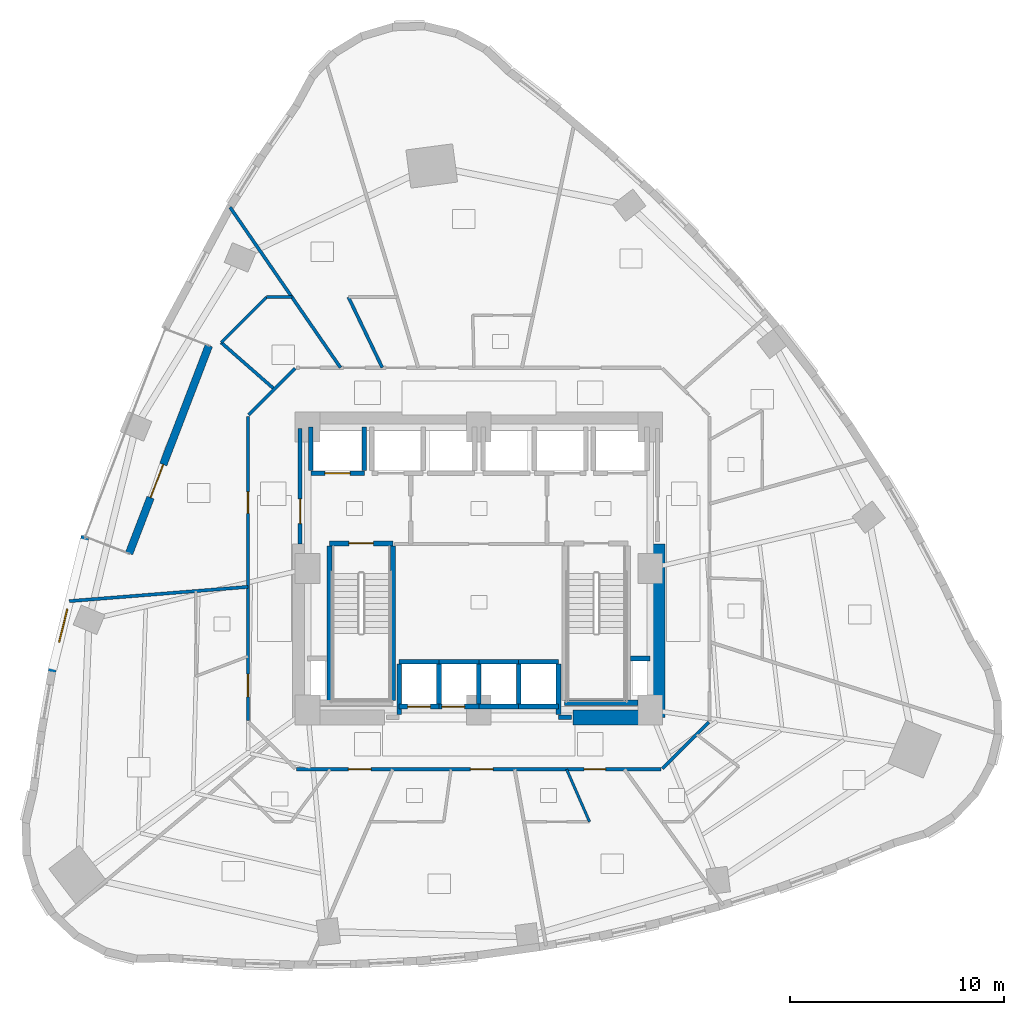
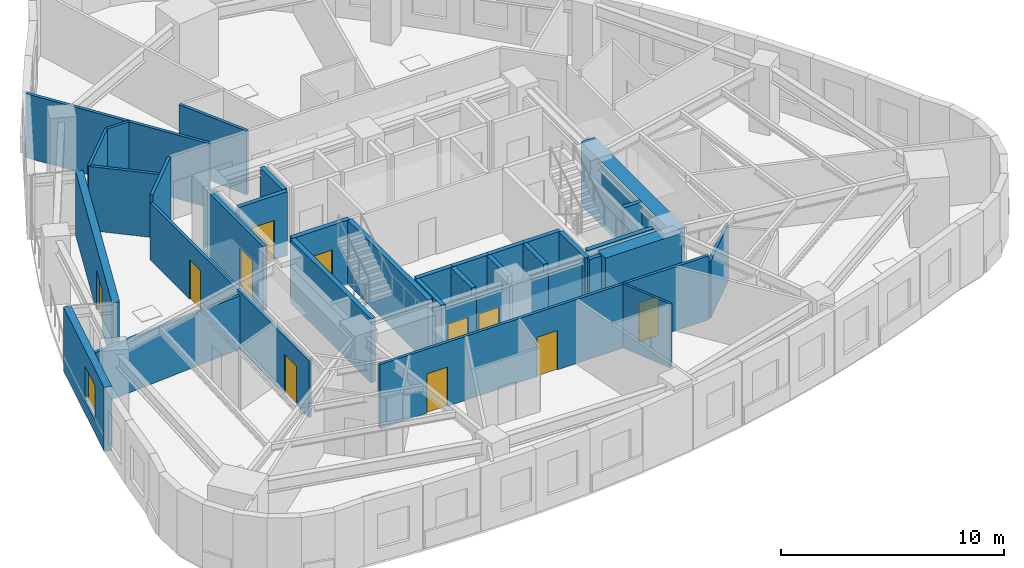
# One storey, part 6 of 12: 38 walls, 11 doors, 1 window, 12 openings.
"""IFC4 building model written with IfcOpenShell, lengths in metres."""

from ifc_helpers import new_model, si_unit, direction, frame, frame_2d, origin, place, context, subcontext, project, spatial, rectangle, extrude, material, layer, layer_set, type_object, element, fill, save


model = new_model("IFC4")

# Units and contexts
model_context = context("Model", 3, precision=1e-05, world=origin(), true_north=direction((0.0, 1.0)))
body_context = subcontext(model_context, "Body", "Model", "MODEL_VIEW")
ifc_project = project(units=[si_unit("LENGTHUNIT", "METRE"), si_unit("AREAUNIT", "SQUARE_METRE"), si_unit("VOLUMEUNIT", "CUBIC_METRE"), si_unit("PLANEANGLEUNIT", "RADIAN"), si_unit("MASSUNIT", "GRAM", prefix="KILO")], contexts=[model_context])

# Site, building, storey
site_placement = place(None, origin())
site = spatial("IfcSite", under=ifc_project, at=site_placement, CompositionType="ELEMENT")
building_placement = place(site_placement, origin())
building = spatial("IfcBuilding", under=site, at=building_placement, Name="Ndelora Gate Hotel", CompositionType="ELEMENT")
storey_placement = place(building_placement, frame((0.0, 0.0, 68.0)))
storey = spatial("IfcBuildingStorey", under=building, at=storey_placement, Name="L16", CompositionType="ELEMENT", Elevation=68.0)

# Wall, opening, door
ifc_material_1 = material(Name="Clay Brick Masonry", Category="masonry")
ifc_layer_1 = layer(ifc_material_1, 0.360107421875)
ifc_layer_set_1 = layer_set([ifc_layer_1], Name="Clay Brick Masonry")
wall_type_1 = type_object("IfcWallType", Name="WL-BRICK-360", PredefinedType="SOLIDWALL", material=ifc_layer_set_1)
wall_1_placement = place(storey_placement, frame((-16.335693359375, 0.70068359375, 0.0), z_axis=(0.0, 0.0, 1.0), x_axis=(0.358370224529, 0.93357955321, 0.0)))
wall_1 = element("IfcWall", 1, at=wall_1_placement, inside=storey, type_object=wall_type_1, Name="L16 Sky-Garden Loggia Rear Brick Wall", PredefinedType="SOLIDWALL", context=body_context, shape_type="SweptSolid", body=[
    extrude(rectangle(XDim=10.39990234375, YDim=0.360107421875, at=frame_2d((5.199951171875, 0.0))), origin(), (0.0, 0.0, 1.0), 3.5),
])
opening_1_placement = place(wall_1_placement, frame((2.800048828125, 0.0, 0.0)))
opening_1 = element("IfcOpeningElement", 2, at=opening_1_placement, cuts=wall_1, Name="Opening TD1", PredefinedType="OPENING", context=body_context, shape_type="SweptSolid", body=[
    extrude(rectangle(XDim=1.64990234375, YDim=2.25, at=frame_2d((0.824951171875, 1.125))), frame((0.0, 0.18994140625, 0.0), z_axis=(0.0, -1.0, 0.0), x_axis=(1.0, 0.0, 0.0)), (0.0, 0.0, 1.0), 0.380126953125),
])
ifc_material_2 = material(Name="Architectural Bronze Glazed Door", Category="metal")
door_type_1 = type_object("IfcDoorType", Name="DR-TER-1650", OperationType="DOUBLE_DOOR_SINGLE_SWING", PredefinedType="DOOR", material=ifc_material_2)
door_1_placement = place(opening_1_placement, origin())
door_1 = element("IfcDoor", 3, at=door_1_placement, inside=storey, type_object=door_type_1, Name="L16 Sky-Garden Terrace Double Door TD1", OperationType="DOUBLE_DOOR_SINGLE_SWING", OverallHeight=2.25, OverallWidth=1.64990234375, PredefinedType="DOOR", context=body_context, shape_type="SweptSolid", body=[
    extrude(rectangle(XDim=1.64990234375, YDim=2.25, at=frame_2d((0.824951171875, 1.125))), frame((0.0, 0.02490234375, 0.0), z_axis=(0.0, -1.0, 0.0), x_axis=(1.0, 0.0, 0.0)), (0.0, 0.0, 1.0), 0.050048828125),
])
fill(opening_1, door_1)

# Wall, opening, window
wall_2_placement = place(storey_placement, frame((-19.951416015625, -4.86279296875, 0.0), z_axis=(0.0, 0.0, 1.0), x_axis=(0.238780649109, 0.971073530486, 0.0)))
wall_2 = element("IfcWall", 4, at=wall_2_placement, inside=storey, type_object=wall_type_1, Name="L16 Tower Brick Pier-and-Spandrel Wall TWR-16", PredefinedType="SOLIDWALL", context=body_context, shape_type="SweptSolid", body=[
    extrude(rectangle(XDim=6.566162109375, YDim=0.360107421875, at=frame_2d((3.283203125, 0.0))), origin(), (0.0, 0.0, 1.0), 3.5),
])
opening_2_placement = place(wall_2_placement, frame((1.4599609375, 0.0, 0.719970703125)))
opening_2 = element("IfcOpeningElement", 5, at=opening_2_placement, cuts=wall_2, Name="Opening W01", PredefinedType="OPENING", context=body_context, shape_type="SweptSolid", body=[
    extrude(rectangle(XDim=1.60009765625, YDim=1.8798828125, at=frame_2d((0.800048828125, 0.93994140625))), frame((0.0, 0.18994140625, 0.0), z_axis=(0.0, -1.0, 0.0), x_axis=(1.0, 0.0, 0.0)), (0.0, 0.0, 1.0), 0.380126953125),
])
ifc_material_3 = material(Name="Insulated Low-E Double Glazing in Bronze Aluminium Frame", Category="aluminium")
window_type = type_object("IfcWindowType", Name="WN-DEEP-1600", PartitioningType="SINGLE_PANEL", PredefinedType="WINDOW", material=ifc_material_3)
window_placement = place(opening_2_placement, origin())
window = element("IfcWindow", 6, at=window_placement, inside=storey, type_object=window_type, Name="L16 Deep-Set Brick-Pier Window W01", OverallHeight=1.8798828125, OverallWidth=1.60009765625, PartitioningType="SINGLE_PANEL", PredefinedType="WINDOW", context=body_context, shape_type="SweptSolid", body=[
    extrude(rectangle(XDim=1.60009765625, YDim=1.8798828125, at=frame_2d((0.800048828125, 0.93994140625))), frame((0.0, 0.030029296875, 0.0), z_axis=(0.0, -1.0, 0.0), x_axis=(1.0, 0.0, 0.0)), (0.0, 0.0, 1.0), 0.06005859375),
])
fill(opening_2, window)

# Walls
ifc_material_4 = material(Name="Concrete C60/75", Category="concrete")
ifc_layer_2 = layer(ifc_material_4, 0.699951171875)
ifc_layer_set_2 = layer_set([ifc_layer_2], Name="Concrete C60/75")
wall_type_2 = type_object("IfcWallType", Name="WL-CORE-700", PredefinedType="SHEAR", material=ifc_layer_set_2)
wall_3_placement = place(storey_placement, frame((4.39990234375, -6.949951171875, 0.0), z_axis=(0.0, 0.0, 1.0), x_axis=(1.0, 0.0, 0.0)))
element("IfcWall", 7, at=wall_3_placement, inside=storey, type_object=wall_type_2, Name="L16 Core Shear Wall S-E", PredefinedType="SHEAR", context=body_context, shape_type="SweptSolid", body=[
    extrude(rectangle(XDim=3.9501953125, YDim=0.699951171875, at=frame_2d((1.97509765625, 0.0))), origin(), (0.0, 0.0, 1.0), 3.5),
])
wall_4_placement = place(storey_placement, frame((8.35009765625, -6.949951171875, 0.0), z_axis=(0.0, 0.0, 1.0), x_axis=(0.0, 1.0, 0.0)))
element("IfcWall", 8, at=wall_4_placement, inside=storey, type_object=wall_type_2, Name="L16 Core Shear Wall E", PredefinedType="SHEAR", context=body_context, shape_type="SweptSolid", body=[
    extrude(rectangle(XDim=8.099853515625, YDim=0.699951171875, at=frame_2d((4.0498046875, 0.0))), origin(), (0.0, 0.0, 1.0), 3.5),
])

# Wall, opening, door
ifc_material_5 = material(Name="Concrete C40/50", Category="concrete")
ifc_layer_3 = layer(ifc_material_5, 0.199951171875)
ifc_layer_set_3 = layer_set([ifc_layer_3], Name="Concrete C40/50")
wall_type_3 = type_object("IfcWallType", Name="WL-FIRE-200", PredefinedType="PARTITIONING", material=ifc_layer_set_3)
wall_5_placement = place(storey_placement, frame((-8.35009765625, 1.14990234375, 0.0), z_axis=(0.0, 0.0, 1.0), x_axis=(0.0, 1.0, 0.0)))
wall_5 = element("IfcWall", 9, at=wall_5_placement, inside=storey, type_object=wall_type_3, Name="L16 Interior Wall IW-2", PredefinedType="PARTITIONING", context=body_context, shape_type="SweptSolid", body=[
    extrude(rectangle(XDim=5.400146484375, YDim=0.199951171875, at=frame_2d((2.7001953125, 0.0))), origin(), (0.0, 0.0, 1.0), 3.5),
])
opening_3_placement = place(wall_5_placement, frame((0.949951171875, 0.0, 0.0)))
opening_3 = element("IfcOpeningElement", 10, at=opening_3_placement, cuts=wall_5, Name="Opening FD1", PredefinedType="OPENING", context=body_context, shape_type="SweptSolid", body=[
    extrude(rectangle(XDim=1.14990234375, YDim=2.14990234375, at=frame_2d((0.574951171875, 1.074951171875))), frame((0.0, 0.10986328125, 0.0), z_axis=(0.0, -1.0, 0.0), x_axis=(1.0, 0.0, 0.0)), (0.0, 0.0, 1.0), 0.219970703125),
])
ifc_material_6 = material(Name="Fire-Rated Timber-Veneer Steel Core", Category="steel")
door_type_2 = type_object("IfcDoorType", Name="DR-FD60", OperationType="SINGLE_SWING_LEFT", PredefinedType="DOOR", material=ifc_material_6)
door_2_placement = place(opening_3_placement, origin())
door_2 = element("IfcDoor", 11, at=door_2_placement, inside=storey, type_object=door_type_2, Name="L16 Firefighting Lobby West Corridor Door", OperationType="SINGLE_SWING_LEFT", OverallHeight=2.14990234375, OverallWidth=1.14990234375, PredefinedType="DOOR", context=body_context, shape_type="SweptSolid", body=[
    extrude(rectangle(XDim=1.14990234375, YDim=2.14990234375, at=frame_2d((0.574951171875, 1.074951171875))), frame((0.0, 0.02490234375, 0.0), z_axis=(0.0, -1.0, 0.0), x_axis=(1.0, 0.0, 0.0)), (0.0, 0.0, 1.0), 0.050048828125),
])
fill(opening_3, door_2)

# Wall
wall_6_placement = place(storey_placement, frame((3.719970703125, -6.949951171875, 0.0), z_axis=(0.0, 0.0, 1.0), x_axis=(1.0, 0.0, 0.0)))
element("IfcWall", 12, at=wall_6_placement, inside=storey, type_object=wall_type_3, Name="L16 Interior Wall IW-2", PredefinedType="PARTITIONING", context=body_context, shape_type="SweptSolid", body=[
    extrude(rectangle(XDim=0.60009765625, YDim=0.199951171875, at=frame_2d((0.300048828125, 0.0))), origin(), (0.0, 0.0, 1.0), 3.5),
])

# Wall, openings, doors
ifc_material_7 = material(Name="Fire-Rated Gypsum Stud Partition", Category="gypsum")
ifc_layer_4 = layer(ifc_material_7, 0.14990234375)
ifc_layer_set_4 = layer_set([ifc_layer_4], Name="Fire-Rated Gypsum Stud Partition")
wall_type_4 = type_object("IfcWallType", Name="WL-PART-150", PredefinedType="PARTITIONING", material=ifc_layer_set_4)
wall_7_placement = place(storey_placement, frame((8.510009765625, -9.3798828125, 0.0), z_axis=(0.0, 0.0, 1.0), x_axis=(-1.0, 0.0, 0.0)))
wall_7 = element("IfcWall", 13, at=wall_7_placement, inside=storey, type_object=wall_type_4, Name="L16 Interior Wall IW-5", PredefinedType="PARTITIONING", context=body_context, shape_type="SweptSolid", body=[
    extrude(rectangle(XDim=17.02001953125, YDim=0.14990234375, at=frame_2d((8.510009765625, 0.0))), origin(), (0.0, 0.0, 1.0), 3.5),
])
opening_4_placement = place(wall_7_placement, frame((2.58935546875, 0.0, 0.0)))
opening_4 = element("IfcOpeningElement", 14, at=opening_4_placement, cuts=wall_7, Name="Opening D01", PredefinedType="OPENING", context=body_context, shape_type="SweptSolid", body=[
    extrude(rectangle(XDim=1.0, YDim=2.14990234375, at=frame_2d((0.5, 1.074951171875))), frame((0.0, 0.0849609375, 0.0), z_axis=(0.0, -1.0, 0.0), x_axis=(1.0, 0.0, 0.0)), (0.0, 0.0, 1.0), 0.169921875),
])
opening_5_placement = place(wall_7_placement, frame((7.842529296875, 0.0, 0.0)))
opening_5 = element("IfcOpeningElement", 15, at=opening_5_placement, cuts=wall_7, Name="Opening D07", PredefinedType="OPENING", context=body_context, shape_type="SweptSolid", body=[
    extrude(rectangle(XDim=1.06005859375, YDim=2.14990234375, at=frame_2d((0.530029296875, 1.074951171875))), frame((0.0, 0.0849609375, 0.0), z_axis=(0.0, -1.0, 0.0), x_axis=(1.0, 0.0, 0.0)), (0.0, 0.0, 1.0), 0.169921875),
])
opening_6_placement = place(wall_7_placement, frame((13.537353515625, 0.0, 0.0)))
opening_6 = element("IfcOpeningElement", 16, at=opening_6_placement, cuts=wall_7, Name="Opening D07", PredefinedType="OPENING", context=body_context, shape_type="SweptSolid", body=[
    extrude(rectangle(XDim=1.06005859375, YDim=2.14990234375, at=frame_2d((0.530029296875, 1.074951171875))), frame((0.0, 0.0849609375, 0.0), z_axis=(0.0, -1.0, 0.0), x_axis=(1.0, 0.0, 0.0)), (0.0, 0.0, 1.0), 0.169921875),
])
ifc_material_8 = material(Name="Acoustic Hardwood Guest Entrance Door", Category="wood")
door_type_3 = type_object("IfcDoorType", Name="DR-COR-1000", OperationType="SINGLE_SWING_LEFT", PredefinedType="DOOR", material=ifc_material_8)
door_3_placement = place(opening_4_placement, origin())
door_3 = element("IfcDoor", 17, at=door_3_placement, inside=storey, type_object=door_type_3, Name="L16 Executive King Guest Room 1904 Entrance Door", OperationType="SINGLE_SWING_LEFT", OverallHeight=2.14990234375, OverallWidth=1.0, PredefinedType="DOOR", context=body_context, shape_type="SweptSolid", body=[
    extrude(rectangle(XDim=1.0, YDim=2.14990234375, at=frame_2d((0.5, 1.074951171875))), frame((0.0, 0.02490234375, 0.0), z_axis=(0.0, -1.0, 0.0), x_axis=(1.0, 0.0, 0.0)), (0.0, 0.0, 1.0), 0.050048828125),
])
fill(opening_4, door_3)
ifc_material_9 = material(Name="Diplomatic Suite Acoustic Entrance Door", Category="wood")
door_type_4 = type_object("IfcDoorType", Name="DR-SUITE-1060", OperationType="SINGLE_SWING_LEFT", PredefinedType="DOOR", material=ifc_material_9)
door_4_placement = place(opening_5_placement, origin())
door_4 = element("IfcDoor", 18, at=door_4_placement, inside=storey, type_object=door_type_4, Name="L16 Corner Junior Suite 1903 Entrance Door", OperationType="SINGLE_SWING_RIGHT", OverallHeight=2.14990234375, OverallWidth=1.06005859375, PredefinedType="DOOR", context=body_context, shape_type="SweptSolid", body=[
    extrude(rectangle(XDim=1.06005859375, YDim=2.14990234375, at=frame_2d((0.530029296875, 1.074951171875))), frame((0.0, 0.02490234375, 0.0), z_axis=(0.0, -1.0, 0.0), x_axis=(1.0, 0.0, 0.0)), (0.0, 0.0, 1.0), 0.050048828125),
])
fill(opening_5, door_4)
door_5_placement = place(opening_6_placement, origin())
door_5 = element("IfcDoor", 19, at=door_5_placement, inside=storey, type_object=door_type_4, Name="L16 Twin Junior Suite 1902 Entrance Door", OperationType="SINGLE_SWING_RIGHT", OverallHeight=2.14990234375, OverallWidth=1.06005859375, PredefinedType="DOOR", context=body_context, shape_type="SweptSolid", body=[
    extrude(rectangle(XDim=1.06005859375, YDim=2.14990234375, at=frame_2d((0.530029296875, 1.074951171875))), frame((0.0, 0.02490234375, 0.0), z_axis=(0.0, -1.0, 0.0), x_axis=(1.0, 0.0, 0.0)), (0.0, 0.0, 1.0), 0.050048828125),
])
fill(opening_6, door_5)

# Walls
wall_8_placement = place(storey_placement, frame((10.751708984375, -7.17822265625, 0.0), z_axis=(0.0, 0.0, 1.0), x_axis=(-0.707067066127, -0.707146494016, 0.0)))
element("IfcWall", 20, at=wall_8_placement, inside=storey, type_object=wall_type_4, Name="L16 Interior Wall IW-5", PredefinedType="PARTITIONING", context=body_context, shape_type="SweptSolid", body=[
    extrude(rectangle(XDim=3.07373046875, YDim=0.14990234375, at=frame_2d((1.536865234375, 0.0))), origin(), (0.0, 0.0, 1.0), 3.1201171875),
])
wall_9_placement = place(storey_placement, frame((-10.751708984375, 7.17822265625, 0.0), z_axis=(0.0, 0.0, 1.0), x_axis=(0.707067066127, 0.707146494016, 0.0)))
element("IfcWall", 21, at=wall_9_placement, inside=storey, type_object=wall_type_4, Name="L16 Interior Wall IW-5", PredefinedType="PARTITIONING", context=body_context, shape_type="SweptSolid", body=[
    extrude(rectangle(XDim=3.07373046875, YDim=0.14990234375, at=frame_2d((1.536865234375, 0.0))), origin(), (0.0, 0.0, 1.0), 3.5),
])

# Wall, openings, doors
wall_10_placement = place(storey_placement, frame((-10.780029296875, -7.110107421875, 0.0), z_axis=(0.0, 0.0, 1.0), x_axis=(0.0, 1.0, 0.0)))
wall_10 = element("IfcWall", 22, at=wall_10_placement, inside=storey, type_object=wall_type_4, Name="L16 Interior Wall IW-5", PredefinedType="PARTITIONING", context=body_context, shape_type="SweptSolid", body=[
    extrude(rectangle(XDim=14.22021484375, YDim=0.14990234375, at=frame_2d((7.110107421875, 0.0))), origin(), (0.0, 0.0, 1.0), 3.1201171875),
])
opening_7_placement = place(wall_10_placement, frame((9.685302734375, 0.0, 0.0)))
opening_7 = element("IfcOpeningElement", 23, at=opening_7_placement, cuts=wall_10, Name="Opening D01", PredefinedType="OPENING", context=body_context, shape_type="SweptSolid", body=[
    extrude(rectangle(XDim=1.0, YDim=2.14990234375, at=frame_2d((0.5, 1.074951171875))), frame((0.0, 0.0849609375, 0.0), z_axis=(0.0, -1.0, 0.0), x_axis=(1.0, 0.0, 0.0)), (0.0, 0.0, 1.0), 0.169921875),
])
opening_8_placement = place(wall_10_placement, frame((1.11279296875, 0.0, 0.0)))
opening_8 = element("IfcOpeningElement", 24, at=opening_8_placement, cuts=wall_10, Name="Opening D07", PredefinedType="OPENING", context=body_context, shape_type="SweptSolid", body=[
    extrude(rectangle(XDim=1.06005859375, YDim=2.14990234375, at=frame_2d((0.530029296875, 1.074951171875))), frame((0.0, 0.0849609375, 0.0), z_axis=(0.0, -1.0, 0.0), x_axis=(1.0, 0.0, 0.0)), (0.0, 0.0, 1.0), 0.169921875),
])
door_6_placement = place(opening_7_placement, origin())
door_6 = element("IfcDoor", 25, at=door_6_placement, inside=storey, type_object=door_type_3, Name="L16 Sky Garden Tea Dining Room Entrance Door", OperationType="SINGLE_SWING_LEFT", OverallHeight=2.14990234375, OverallWidth=1.0, PredefinedType="DOOR", context=body_context, shape_type="SweptSolid", body=[
    extrude(rectangle(XDim=1.0, YDim=2.14990234375, at=frame_2d((0.5, 1.074951171875))), frame((0.0, 0.02490234375, 0.0), z_axis=(0.0, -1.0, 0.0), x_axis=(1.0, 0.0, 0.0)), (0.0, 0.0, 1.0), 0.050048828125),
])
fill(opening_7, door_6)
door_7_placement = place(opening_8_placement, origin())
door_7 = element("IfcDoor", 26, at=door_7_placement, inside=storey, type_object=door_type_4, Name="L16 Superior Double Junior Suite 1901 Entrance Door", OperationType="SINGLE_SWING_RIGHT", OverallHeight=2.14990234375, OverallWidth=1.06005859375, PredefinedType="DOOR", context=body_context, shape_type="SweptSolid", body=[
    extrude(rectangle(XDim=1.06005859375, YDim=2.14990234375, at=frame_2d((0.530029296875, 1.074951171875))), frame((0.0, 0.02490234375, 0.0), z_axis=(0.0, -1.0, 0.0), x_axis=(1.0, 0.0, 0.0)), (0.0, 0.0, 1.0), 0.050048828125),
])
fill(opening_8, door_7)

# Walls
wall_11_placement = place(storey_placement, frame((-9.552490234375, 8.37744140625, 0.0), z_axis=(0.0, 0.0, 1.0), x_axis=(-0.751807906315, 0.659382189631, 0.0)))
element("IfcWall", 27, at=wall_11_placement, inside=storey, type_object=wall_type_4, Name="L16 Interior Wall IW-5", PredefinedType="PARTITIONING", context=body_context, shape_type="SweptSolid", body=[
    extrude(rectangle(XDim=3.30712890625, YDim=0.14990234375, at=frame_2d((1.653564453125, 0.0))), origin(), (0.0, 0.0, 1.0), 3.5),
])
wall_12_placement = place(storey_placement, frame((-10.780029296875, -0.85888671875, 0.0), z_axis=(0.0, 0.0, 1.0), x_axis=(-0.996838958, -0.079448674079, 0.0)))
element("IfcWall", 28, at=wall_12_placement, inside=storey, type_object=wall_type_4, Name="L16 Interior Wall IW-5", PredefinedType="PARTITIONING", context=body_context, shape_type="SweptSolid", body=[
    extrude(rectangle(XDim=8.376708984375, YDim=0.14990234375, at=frame_2d((4.1884765625, 0.0))), origin(), (0.0, 0.0, 1.0), 2.929931640625),
])
wall_13_placement = place(storey_placement, frame((-4.507568359375, 9.3798828125, 0.0), z_axis=(0.0, 0.0, 1.0), x_axis=(-0.433155901161, 0.901319014162, 0.0)))
element("IfcWall", 29, at=wall_13_placement, inside=storey, type_object=wall_type_4, Name="L16 Interior Wall IW-5", PredefinedType="PARTITIONING", context=body_context, shape_type="SweptSolid", body=[
    extrude(rectangle(XDim=3.661376953125, YDim=0.14990234375, at=frame_2d((1.83056640625, 0.0))), origin(), (0.0, 0.0, 1.0), 3.5),
])
wall_14_placement = place(storey_placement, frame((-6.460205078125, 9.3798828125, 0.0), z_axis=(0.0, 0.0, 1.0), x_axis=(-0.567187966885, 0.823588374263, 0.0)))
element("IfcWall", 30, at=wall_14_placement, inside=storey, type_object=wall_type_4, Name="L16 Interior Wall IW-5", PredefinedType="PARTITIONING", context=body_context, shape_type="SweptSolid", body=[
    extrude(rectangle(XDim=9.09912109375, YDim=0.14990234375, at=frame_2d((4.549560546875, 0.0))), origin(), (0.0, 0.0, 1.0), 3.5),
])
ifc_layer_5 = layer(ifc_material_5, 0.219970703125)
ifc_layer_set_5 = layer_set([ifc_layer_5], Name="Concrete C40/50")
wall_type_5 = type_object("IfcWallType", Name="WL-SHAFT-220", PredefinedType="PARTITIONING", material=ifc_layer_set_5)
wall_15_placement = place(storey_placement, frame((7.090087890625, -4.199951171875, 0.0), z_axis=(0.0, 0.0, 1.0), x_axis=(1.0, 0.0, 0.0)))
element("IfcWall", 31, at=wall_15_placement, inside=storey, type_object=wall_type_5, Name="L16 Interior Wall IW-1", PredefinedType="PARTITIONING", context=body_context, shape_type="SweptSolid", body=[
    extrude(rectangle(XDim=0.909912109375, YDim=0.219970703125, at=frame_2d((0.455078125, 0.0))), origin(), (0.0, 0.0, 1.0), 3.5),
])

# Wall, opening, door
wall_16_placement = place(storey_placement, frame((-7.85009765625, 4.449951171875, 0.0), z_axis=(0.0, 0.0, 1.0), x_axis=(1.0, 0.0, 0.0)))
wall_16 = element("IfcWall", 32, at=wall_16_placement, inside=storey, type_object=wall_type_5, Name="L16 Interior Wall IW-1", PredefinedType="PARTITIONING", context=body_context, shape_type="SweptSolid", body=[
    extrude(rectangle(XDim=2.5, YDim=0.219970703125, at=frame_2d((1.25, 0.0))), origin(), (0.0, 0.0, 1.0), 3.5),
])
opening_9_placement = place(wall_16_placement, frame((0.659912109375, 0.0, 0.0)))
opening_9 = element("IfcOpeningElement", 33, at=opening_9_placement, cuts=wall_16, Name="Opening LD5", PredefinedType="OPENING", context=body_context, shape_type="SweptSolid", body=[
    extrude(rectangle(XDim=1.179931640625, YDim=2.14990234375, at=frame_2d((0.58984375, 1.074951171875))), frame((0.0, 0.1201171875, 0.0), z_axis=(0.0, -1.0, 0.0), x_axis=(1.0, 0.0, 0.0)), (0.0, 0.0, 1.0), 0.239990234375),
])
ifc_material_10 = material(Name="Firefighting Lift Stainless Sliding Landing Door", Category="metal")
door_type_5 = type_object("IfcDoorType", Name="DR-LD5", OperationType="DOUBLE_DOOR_SLIDING", PredefinedType="DOOR", material=ifc_material_10)
door_8_placement = place(opening_9_placement, origin())
door_8 = element("IfcDoor", 34, at=door_8_placement, inside=storey, type_object=door_type_5, Name="L16 Lift Landing Sliding Door FFL1", OperationType="DOUBLE_DOOR_SLIDING", OverallHeight=2.14990234375, OverallWidth=1.179931640625, PredefinedType="DOOR", context=body_context, shape_type="SweptSolid", body=[
    extrude(rectangle(XDim=1.179931640625, YDim=2.14990234375, at=frame_2d((0.58984375, 1.074951171875))), frame((0.0, 0.02490234375, 0.0), z_axis=(0.0, -1.0, 0.0), x_axis=(1.0, 0.0, 0.0)), (0.0, 0.0, 1.0), 0.050048828125),
])
fill(opening_9, door_8)

# Walls
wall_17_placement = place(storey_placement, frame((-7.85009765625, 4.570068359375, 0.0), z_axis=(0.0, 0.0, 1.0), x_axis=(0.0, 1.0, 0.0)))
element("IfcWall", 35, at=wall_17_placement, inside=storey, type_object=wall_type_5, Name="L16 Interior Wall IW-1", PredefinedType="PARTITIONING", context=body_context, shape_type="SweptSolid", body=[
    extrude(rectangle(XDim=2.030029296875, YDim=0.219970703125, at=frame_2d((1.01513671875, 0.0))), origin(), (0.0, 0.0, 1.0), 3.080078125),
])
wall_18_placement = place(storey_placement, frame((-5.35009765625, 4.570068359375, 0.0), z_axis=(0.0, 0.0, 1.0), x_axis=(0.0, 1.0, 0.0)))
element("IfcWall", 36, at=wall_18_placement, inside=storey, type_object=wall_type_5, Name="L16 Interior Wall IW-1", PredefinedType="PARTITIONING", context=body_context, shape_type="SweptSolid", body=[
    extrude(rectangle(XDim=2.030029296875, YDim=0.219970703125, at=frame_2d((1.01513671875, 0.0))), origin(), (0.0, 0.0, 1.0), 3.5),
])

# Wall, opening, door
wall_19_placement = place(storey_placement, frame((-3.719970703125, -6.449951171875, 0.0), z_axis=(0.0, 0.0, 1.0), x_axis=(1.0, 0.0, 0.0)))
wall_19 = element("IfcWall", 37, at=wall_19_placement, inside=storey, type_object=wall_type_5, Name="L16 Interior Wall IW-1", PredefinedType="PARTITIONING", context=body_context, shape_type="SweptSolid", body=[
    extrude(rectangle(XDim=1.85986328125, YDim=0.219970703125, at=frame_2d((0.929931640625, 0.0))), origin(), (0.0, 0.0, 1.0), 3.080078125),
])
opening_10_placement = place(wall_19_placement, frame((0.39990234375, 0.0, 0.0)))
opening_10 = element("IfcOpeningElement", 38, at=opening_10_placement, cuts=wall_19, Name="Opening LD1", PredefinedType="OPENING", context=body_context, shape_type="SweptSolid", body=[
    extrude(rectangle(XDim=1.06005859375, YDim=2.14990234375, at=frame_2d((0.530029296875, 1.074951171875))), frame((0.0, 0.1201171875, 0.0), z_axis=(0.0, -1.0, 0.0), x_axis=(1.0, 0.0, 0.0)), (0.0, 0.0, 1.0), 0.239990234375),
])
ifc_material_11 = material(Name="Brushed Bronze Stainless Lift Landing Door", Category="metal")
door_type_6 = type_object("IfcDoorType", Name="DR-LD1", OperationType="DOUBLE_DOOR_SLIDING", PredefinedType="DOOR", material=ifc_material_11)
door_9_placement = place(opening_10_placement, origin())
door_9 = element("IfcDoor", 39, at=door_9_placement, inside=storey, type_object=door_type_6, Name="L16 Lift Landing Sliding Door P1A", OperationType="DOUBLE_DOOR_SLIDING", OverallHeight=2.14990234375, OverallWidth=1.06005859375, PredefinedType="DOOR", context=body_context, shape_type="SweptSolid", body=[
    extrude(rectangle(XDim=1.06005859375, YDim=2.14990234375, at=frame_2d((0.530029296875, 1.074951171875))), frame((0.0, 0.02490234375, 0.0), z_axis=(0.0, -1.0, 0.0), x_axis=(1.0, 0.0, 0.0)), (0.0, 0.0, 1.0), 0.050048828125),
])
fill(opening_10, door_9)

# Walls
wall_20_placement = place(storey_placement, frame((-3.719970703125, -4.35009765625, 0.0), z_axis=(0.0, 0.0, 1.0), x_axis=(1.0, 0.0, 0.0)))
element("IfcWall", 40, at=wall_20_placement, inside=storey, type_object=wall_type_5, Name="L16 Interior Wall IW-1", PredefinedType="PARTITIONING", context=body_context, shape_type="SweptSolid", body=[
    extrude(rectangle(XDim=1.85986328125, YDim=0.219970703125, at=frame_2d((0.929931640625, 0.0))), origin(), (0.0, 0.0, 1.0), 3.5),
])
wall_21_placement = place(storey_placement, frame((-3.719970703125, -6.830078125, 0.0), z_axis=(0.0, 0.0, 1.0), x_axis=(0.0, 1.0, 0.0)))
element("IfcWall", 41, at=wall_21_placement, inside=storey, type_object=wall_type_5, Name="L16 Interior Wall IW-1", PredefinedType="PARTITIONING", context=body_context, shape_type="SweptSolid", body=[
    extrude(rectangle(XDim=2.360107421875, YDim=0.219970703125, at=frame_2d((1.18017578125, 0.0))), origin(), (0.0, 0.0, 1.0), 3.5),
])
wall_22_placement = place(storey_placement, frame((-1.860107421875, -6.330078125, 0.0), z_axis=(0.0, 0.0, 1.0), x_axis=(0.0, 1.0, 0.0)))
element("IfcWall", 42, at=wall_22_placement, inside=storey, type_object=wall_type_5, Name="L16 Interior Wall IW-1", PredefinedType="PARTITIONING", context=body_context, shape_type="SweptSolid", body=[
    extrude(rectangle(XDim=1.860107421875, YDim=0.219970703125, at=frame_2d((0.93017578125, 0.0))), origin(), (0.0, 0.0, 1.0), 3.5),
])

# Wall, opening, door
wall_23_placement = place(storey_placement, frame((-1.860107421875, -6.449951171875, 0.0), z_axis=(0.0, 0.0, 1.0), x_axis=(1.0, 0.0, 0.0)))
wall_23 = element("IfcWall", 43, at=wall_23_placement, inside=storey, type_object=wall_type_5, Name="L16 Interior Wall IW-1", PredefinedType="PARTITIONING", context=body_context, shape_type="SweptSolid", body=[
    extrude(rectangle(XDim=1.860107421875, YDim=0.219970703125, at=frame_2d((0.93017578125, 0.0))), origin(), (0.0, 0.0, 1.0), 3.080078125),
])
opening_11_placement = place(wall_23_placement, frame((0.139892578125, 0.0, 0.0)))
opening_11 = element("IfcOpeningElement", 44, at=opening_11_placement, cuts=wall_23, Name="Opening LD1", PredefinedType="OPENING", context=body_context, shape_type="SweptSolid", body=[
    extrude(rectangle(XDim=1.06005859375, YDim=2.14990234375, at=frame_2d((0.530029296875, 1.074951171875))), frame((0.0, 0.1201171875, 0.0), z_axis=(0.0, -1.0, 0.0), x_axis=(1.0, 0.0, 0.0)), (0.0, 0.0, 1.0), 0.239990234375),
])
door_10_placement = place(opening_11_placement, origin())
door_10 = element("IfcDoor", 45, at=door_10_placement, inside=storey, type_object=door_type_6, Name="L16 Lift Landing Sliding Door P1B", OperationType="DOUBLE_DOOR_SLIDING", OverallHeight=2.14990234375, OverallWidth=1.06005859375, PredefinedType="DOOR", context=body_context, shape_type="SweptSolid", body=[
    extrude(rectangle(XDim=1.06005859375, YDim=2.14990234375, at=frame_2d((0.530029296875, 1.074951171875))), frame((0.0, 0.02490234375, 0.0), z_axis=(0.0, -1.0, 0.0), x_axis=(1.0, 0.0, 0.0)), (0.0, 0.0, 1.0), 0.050048828125),
])
fill(opening_11, door_10)

# Walls
for number, where, z_axis, x_axis, name in (
    (46, (-1.860107421875, -4.35009765625, 0.0), (0.0, 0.0, 1.0), (1.0, 0.0, 0.0), "L16 Interior Wall IW-1"),
    (47, (0.0, -6.330078125, 0.0), (0.0, 0.0, 1.0), (0.0, 1.0, 0.0), "L16 Interior Wall IW-1"),
):
    element("IfcWall", number, at=place(storey_placement, frame(where, z_axis=z_axis, x_axis=x_axis)), inside=storey, type_object=wall_type_5, Name=name, PredefinedType="PARTITIONING", context=body_context, shape_type="SweptSolid", body=[
        extrude(rectangle(XDim=1.860107421875, YDim=0.219970703125, at=frame_2d((0.93017578125, 0.0))), origin(), (0.0, 0.0, 1.0), 3.5),
    ])
wall_24_placement = place(storey_placement, frame((0.0, -6.449951171875, 0.0), z_axis=(0.0, 0.0, 1.0), x_axis=(1.0, 0.0, 0.0)))
element("IfcWall", 48, at=wall_24_placement, inside=storey, type_object=wall_type_5, Name="L16 Interior Wall IW-1", PredefinedType="PARTITIONING", context=body_context, shape_type="SweptSolid", body=[
    extrude(rectangle(XDim=1.860107421875, YDim=0.219970703125, at=frame_2d((0.93017578125, 0.0))), origin(), (0.0, 0.0, 1.0), 3.080078125),
])
for number, where, z_axis, x_axis, name in (
    (49, (0.0, -4.35009765625, 0.0), (0.0, 0.0, 1.0), (1.0, 0.0, 0.0), "L16 Interior Wall IW-1"),
    (50, (1.860107421875, -6.330078125, 0.0), (0.0, 0.0, 1.0), (0.0, 1.0, 0.0), "L16 Interior Wall IW-1"),
):
    element("IfcWall", number, at=place(storey_placement, frame(where, z_axis=z_axis, x_axis=x_axis)), inside=storey, type_object=wall_type_5, Name=name, PredefinedType="PARTITIONING", context=body_context, shape_type="SweptSolid", body=[
        extrude(rectangle(XDim=1.860107421875, YDim=0.219970703125, at=frame_2d((0.93017578125, 0.0))), origin(), (0.0, 0.0, 1.0), 3.5),
    ])
wall_25_placement = place(storey_placement, frame((1.860107421875, -6.449951171875, 0.0), z_axis=(0.0, 0.0, 1.0), x_axis=(1.0, 0.0, 0.0)))
element("IfcWall", 51, at=wall_25_placement, inside=storey, type_object=wall_type_5, Name="L16 Interior Wall IW-1", PredefinedType="PARTITIONING", context=body_context, shape_type="SweptSolid", body=[
    extrude(rectangle(XDim=1.85986328125, YDim=0.219970703125, at=frame_2d((0.929931640625, 0.0))), origin(), (0.0, 0.0, 1.0), 3.080078125),
])
wall_26_placement = place(storey_placement, frame((1.860107421875, -4.35009765625, 0.0), z_axis=(0.0, 0.0, 1.0), x_axis=(1.0, 0.0, 0.0)))
element("IfcWall", 52, at=wall_26_placement, inside=storey, type_object=wall_type_5, Name="L16 Interior Wall IW-1", PredefinedType="PARTITIONING", context=body_context, shape_type="SweptSolid", body=[
    extrude(rectangle(XDim=1.85986328125, YDim=0.219970703125, at=frame_2d((0.929931640625, 0.0))), origin(), (0.0, 0.0, 1.0), 3.5),
])
wall_27_placement = place(storey_placement, frame((3.719970703125, -6.830078125, 0.0), z_axis=(0.0, 0.0, 1.0), x_axis=(0.0, 1.0, 0.0)))
element("IfcWall", 53, at=wall_27_placement, inside=storey, type_object=wall_type_5, Name="L16 Interior Wall IW-1", PredefinedType="PARTITIONING", context=body_context, shape_type="SweptSolid", body=[
    extrude(rectangle(XDim=2.360107421875, YDim=0.219970703125, at=frame_2d((1.18017578125, 0.0))), origin(), (0.0, 0.0, 1.0), 3.5),
])
ifc_material_12 = material(Name="Concrete C50/60", Category="concrete")
ifc_layer_6 = layer(ifc_material_12, 0.239990234375)
ifc_layer_set_6 = layer_set([ifc_layer_6], Name="Concrete C50/60")
wall_type_6 = type_object("IfcWallType", Name="WL-STAIR-240", PredefinedType="SHEAR", material=ifc_layer_set_6)
for number, where, z_axis, x_axis, name in (
    (54, (-6.969970703125, -6.159912109375, 0.0), (0.0, 0.0, 1.0), (0.0, 1.0, 0.0), "L16 Stair Core Shear Wall SW-ST"),
    (55, (-4.010009765625, -6.159912109375, 0.0), (0.0, 0.0, 1.0), (0.0, 1.0, 0.0), "L16 Stair Core Shear Wall SW-ST"),
):
    element("IfcWall", number, at=place(storey_placement, frame(where, z_axis=z_axis, x_axis=x_axis)), inside=storey, type_object=wall_type_6, Name=name, PredefinedType="SHEAR", context=body_context, shape_type="SweptSolid", body=[
        extrude(rectangle(XDim=7.219970703125, YDim=0.239990234375, at=frame_2d((3.60986328125, 0.0))), origin(), (0.0, 0.0, 1.0), 3.5),
    ])

# Wall, opening, door
wall_28_placement = place(storey_placement, frame((-6.969970703125, 1.169921875, 0.0), z_axis=(0.0, 0.0, 1.0), x_axis=(1.0, 0.0, 0.0)))
wall_28 = element("IfcWall", 56, at=wall_28_placement, inside=storey, type_object=wall_type_6, Name="L16 Stair Core Shear Wall SW-ST", PredefinedType="SHEAR", context=body_context, shape_type="SweptSolid", body=[
    extrude(rectangle(XDim=2.9599609375, YDim=0.239990234375, at=frame_2d((1.47998046875, 0.0))), origin(), (0.0, 0.0, 1.0), 3.5),
])
opening_12_placement = place(wall_28_placement, frame((0.89990234375, 0.0, 0.0)))
opening_12 = element("IfcOpeningElement", 57, at=opening_12_placement, cuts=wall_28, Name="Opening FD1", PredefinedType="OPENING", context=body_context, shape_type="SweptSolid", body=[
    extrude(rectangle(XDim=1.14990234375, YDim=2.14990234375, at=frame_2d((0.574951171875, 1.074951171875))), frame((0.0, 0.1298828125, 0.0), z_axis=(0.0, -1.0, 0.0), x_axis=(1.0, 0.0, 0.0)), (0.0, 0.0, 1.0), 0.260009765625),
])
door_11_placement = place(opening_12_placement, origin())
door_11 = element("IfcDoor", 58, at=door_11_placement, inside=storey, type_object=door_type_2, Name="L16 Exit Stair ST4 Door", OperationType="SINGLE_SWING_LEFT", OverallHeight=2.14990234375, OverallWidth=1.14990234375, PredefinedType="DOOR", context=body_context, shape_type="SweptSolid", body=[
    extrude(rectangle(XDim=1.14990234375, YDim=2.14990234375, at=frame_2d((0.574951171875, 1.074951171875))), frame((0.0, 0.02490234375, 0.0), z_axis=(0.0, -1.0, 0.0), x_axis=(1.0, 0.0, 0.0)), (0.0, 0.0, 1.0), 0.050048828125),
])
fill(opening_12, door_11)

# Walls
wall_29_placement = place(storey_placement, frame((4.010009765625, -6.27001953125, 0.0), z_axis=(0.0, 0.0, 1.0), x_axis=(1.0, 0.0, 0.0)))
element("IfcWall", 59, at=wall_29_placement, inside=storey, type_object=wall_type_6, Name="L16 Stair Core Shear Wall SW-ST", PredefinedType="SHEAR", context=body_context, shape_type="SweptSolid", body=[
    extrude(rectangle(XDim=3.4150390625, YDim=0.239990234375, at=frame_2d((1.70751953125, 0.0))), origin(), (0.0, 0.0, 1.0), 3.5),
])
ifc_material_13 = material(Name="Moisture-Resistant Bathroom Tile Partition", Category="gypsum")
ifc_layer_7 = layer(ifc_material_13, 0.1201171875)
ifc_layer_set_7 = layer_set([ifc_layer_7], Name="Moisture-Resistant Bathroom Tile Partition")
wall_type_7 = type_object("IfcWallType", Name="WL-WET-120", PredefinedType="PARTITIONING", material=ifc_layer_set_7)
wall_30_placement = place(storey_placement, frame((4.10009765625, -9.3798828125, 0.0), z_axis=(0.0, 0.0, 1.0), x_axis=(0.400531444998, -0.916283013904, 0.0)))
element("IfcWall", 60, at=wall_30_placement, inside=storey, type_object=wall_type_7, Name="L16 Interior Wall IW-7", PredefinedType="PARTITIONING", context=body_context, shape_type="SweptSolid", body=[
    extrude(rectangle(XDim=2.674072265625, YDim=0.1201171875, at=frame_2d((1.3369140625, 0.0))), origin(), (0.0, 0.0, 1.0), 3.5),
])
ifc_material_14 = material(Name="Moisture-Resistant Fire-Rated Tile Partition", Category="gypsum")
ifc_layer_8 = layer(ifc_material_14, 0.1298828125)
ifc_layer_set_8 = layer_set([ifc_layer_8], Name="Moisture-Resistant Fire-Rated Tile Partition")
wall_type_8 = type_object("IfcWallType", Name="WL-WET-RATED", PredefinedType="PARTITIONING", material=ifc_layer_set_8)
wall_31_placement = place(storey_placement, frame((-12.038818359375, 10.55810546875, 0.0), z_axis=(0.0, 0.0, 1.0), x_axis=(0.707106781187, 0.707106781187, 0.0)))
element("IfcWall", 61, at=wall_31_placement, inside=storey, type_object=wall_type_8, Name="L16 Interior Wall IW-6", PredefinedType="PARTITIONING", context=body_context, shape_type="SweptSolid", body=[
    extrude(rectangle(XDim=3.000732421875, YDim=0.1298828125, at=frame_2d((1.50048828125, 0.0))), origin(), (0.0, 0.0, 1.0), 3.5),
])
wall_32_placement = place(storey_placement, frame((-9.9169921875, 12.679931640625, 0.0), z_axis=(0.0, 0.0, 1.0), x_axis=(1.0, 0.0, 0.0)))
element("IfcWall", 62, at=wall_32_placement, inside=storey, type_object=wall_type_8, Name="L16 Interior Wall IW-6", PredefinedType="PARTITIONING", context=body_context, shape_type="SweptSolid", body=[
    extrude(rectangle(XDim=1.18408203125, YDim=0.1298828125, at=frame_2d((0.592041015625, 0.0))), origin(), (0.0, 0.0, 1.0), 3.5),
])

save(model, "model.ifc")
